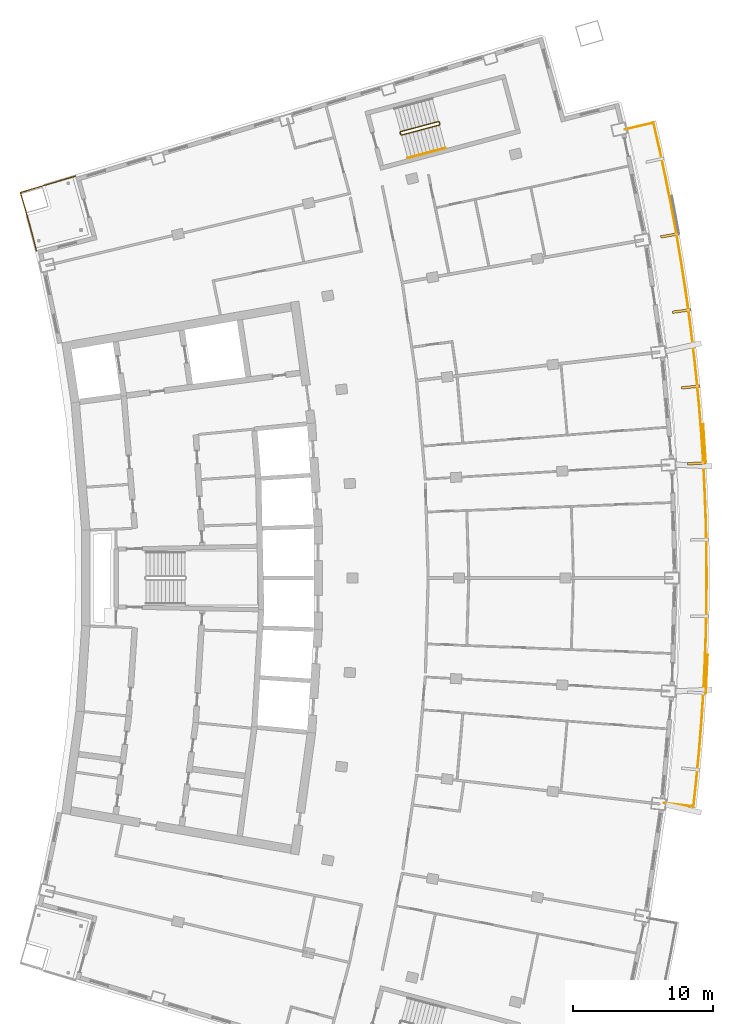
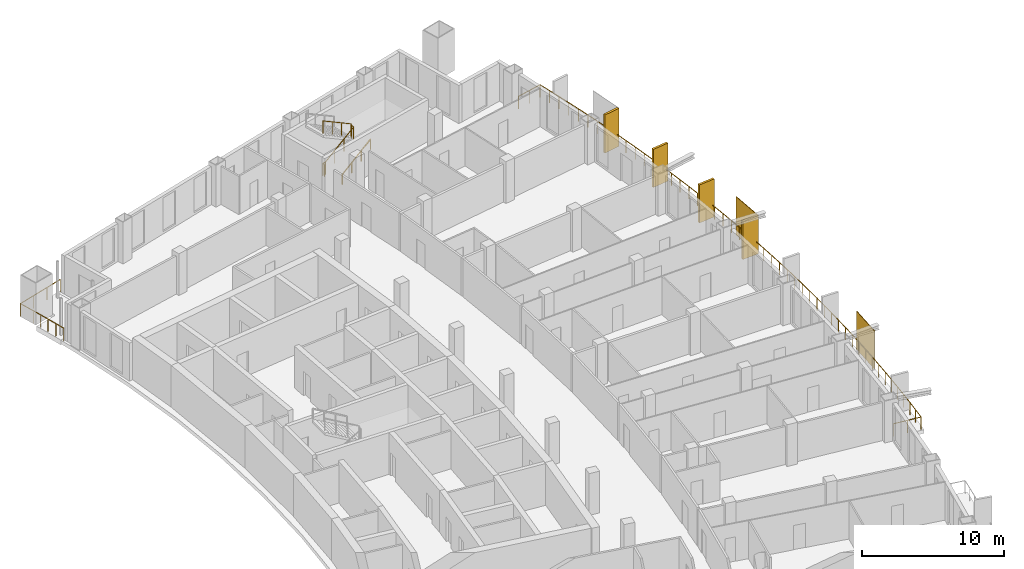
# One storey, part 18 of 19: 6 shading devices, 4 railings.
"""IFC4 building model written with IfcOpenShell, lengths in metres."""

from ifc_helpers import new_model, si_unit, direction, frame, origin, origin_2d, place, context, subcontext, project, spatial, rectangle, extrude, material, layer, layer_set, type_object, element, save


model = new_model("IFC4")

# Units and contexts
model_context = context("Model", 3, precision=1e-05, world=origin(), true_north=direction((0.0, 1.0)))
body_context = subcontext(model_context, "Body", "Model", "MODEL_VIEW")
ifc_project = project(units=[si_unit("LENGTHUNIT", "METRE"), si_unit("AREAUNIT", "SQUARE_METRE"), si_unit("VOLUMEUNIT", "CUBIC_METRE"), si_unit("PLANEANGLEUNIT", "RADIAN"), si_unit("MASSUNIT", "GRAM", prefix="KILO")], contexts=[model_context])

# Site, building, storey
site_placement = place(None, origin())
site = spatial("IfcSite", under=ifc_project, at=site_placement, CompositionType="ELEMENT")
building_placement = place(site_placement, origin())
building = spatial("IfcBuilding", under=site, at=building_placement, Name="Alderwake Tower", CompositionType="ELEMENT")
storey_placement = place(building_placement, frame((0.0, 0.0, 192.800048828125)))
storey = spatial("IfcBuildingStorey", under=building, at=storey_placement, Name="L47", CompositionType="ELEMENT", Elevation=192.800048828125)

# Railings
ifc_material_1 = material(Name="Stainless steel 316 rail and posts", Category="steel")
railing_type_1 = type_object("IfcRailingType", Name="Balcony guard 1100", PredefinedType="GUARDRAIL", material=ifc_material_1)
railing_1_placement = place(storey_placement, frame((58.06640625, 44.91796875, 0.0)))
element("IfcRailing", 1, at=railing_1_placement, inside=storey, type_object=railing_type_1, Name="Guard BF05", PredefinedType="GUARDRAIL", context=body_context, shape_type="SweptSolid", body=[
    extrude(rectangle(XDim=0.048095703125, YDim=0.048095703125, at=origin_2d()), frame((0.0, 0.0, 1.076171875), z_axis=(0.993287203457, -0.115674247125, 0.0), x_axis=(0.115674247125, 0.993287203457, 0.0)), (0.0, 0.0, 1.0), 2.10009765625),
    extrude(rectangle(XDim=0.048095703125, YDim=0.048095703125, at=origin_2d()), frame((2.0859375, -0.242919921875, 1.076171875), z_axis=(0.108871005933, 0.994055885787, 0.0), x_axis=(-0.994055885787, 0.108871005933, 0.0)), (0.0, 0.0, 1.0), 1.957763671875),
    extrude(rectangle(XDim=0.048095703125, YDim=0.048095703125, at=origin_2d()), frame((2.299072265625, 1.703125, 1.076171875), z_axis=(0.094685905036, 0.995507197055, 0.0), x_axis=(-0.995507197055, 0.094685905036, 0.0)), (0.0, 0.0, 1.0), 2.0576171875),
    extrude(rectangle(XDim=0.048095703125, YDim=0.048095703125, at=origin_2d()), frame((2.493896484375, 3.75146484375, 1.076171875), z_axis=(0.080080004355, 0.99678843939, 0.0), x_axis=(-0.99678843939, 0.080080004355, 0.0)), (0.0, 0.0, 1.0), 2.057861328125),
    extrude(rectangle(XDim=0.048095703125, YDim=0.048095703125, at=origin_2d()), frame((2.65869140625, 5.802734375, 1.076171875), z_axis=(0.065621128532, 0.997844610894, 0.0), x_axis=(-0.997844610894, 0.065621128532, 0.0)), (0.0, 0.0, 1.0), 2.057373046875),
    extrude(rectangle(XDim=0.048095703125, YDim=0.048095703125, at=origin_2d()), frame((2.793701171875, 7.855712890625, 1.076171875), z_axis=(0.051014504911, 0.998697912428, 0.0), x_axis=(-0.998697912428, 0.051014504911, 0.0)), (0.0, 0.0, 1.0), 2.057861328125),
    extrude(rectangle(XDim=0.048095703125, YDim=0.048095703125, at=origin_2d()), frame((2.898681640625, 9.910888671875, 1.076171875), z_axis=(0.036423636096, 0.99933643921, 0.0), x_axis=(-0.99933643921, 0.036423636096, 0.0)), (0.0, 0.0, 1.0), 2.057861328125),
    extrude(rectangle(XDim=0.048095703125, YDim=0.048095703125, at=origin_2d()), frame((2.9736328125, 11.96728515625, 1.076171875), z_axis=(0.021831965865, 0.999761654229, 0.0), x_axis=(-0.999761654229, 0.021831965865, 0.0)), (0.0, 0.0, 1.0), 2.0576171875),
    extrude(rectangle(XDim=0.048095703125, YDim=0.048095703125, at=origin_2d()), frame((3.0185546875, 14.0244140625, 1.076171875), z_axis=(0.007356231898, 0.99997294256, 0.0), x_axis=(-0.99997294256, 0.007356231898, 0.0)), (0.0, 0.0, 1.0), 2.0576171875),
    extrude(rectangle(XDim=0.048095703125, YDim=0.048095703125, at=origin_2d()), frame((3.03369140625, 16.08203125, 1.076171875), z_axis=(-0.007356231898, 0.99997294256, 0.0), x_axis=(-0.99997294256, -0.007356231898, 0.0)), (0.0, 0.0, 1.0), 2.0576171875),
    extrude(rectangle(XDim=0.048095703125, YDim=0.048095703125, at=origin_2d()), frame((3.0185546875, 18.1396484375, 1.076171875), z_axis=(-0.021831965865, 0.999761654229, 0.0), x_axis=(-0.999761654229, -0.021831965865, 0.0)), (0.0, 0.0, 1.0), 2.0576171875),
    extrude(rectangle(XDim=0.048095703125, YDim=0.048095703125, at=origin_2d()), frame((2.9736328125, 20.19677734375, 1.076171875), z_axis=(-0.036423636096, 0.99933643921, 0.0), x_axis=(-0.99933643921, -0.036423636096, 0.0)), (0.0, 0.0, 1.0), 2.057861328125),
    extrude(rectangle(XDim=0.048095703125, YDim=0.048095703125, at=origin_2d()), frame((2.898681640625, 22.253173828125, 1.076171875), z_axis=(-0.051014504911, 0.998697912428, 0.0), x_axis=(-0.998697912428, -0.051014504911, 0.0)), (0.0, 0.0, 1.0), 2.057861328125),
    extrude(rectangle(XDim=0.048095703125, YDim=0.048095703125, at=origin_2d()), frame((2.793701171875, 24.308349609375, 1.076171875), z_axis=(-0.065621128532, 0.997844610894, 0.0), x_axis=(-0.997844610894, -0.065621128532, 0.0)), (0.0, 0.0, 1.0), 2.057373046875),
    extrude(rectangle(XDim=0.048095703125, YDim=0.048095703125, at=origin_2d()), frame((2.65869140625, 26.361328125, 1.076171875), z_axis=(-0.080080004355, 0.99678843939, 0.0), x_axis=(-0.99678843939, -0.080080004355, 0.0)), (0.0, 0.0, 1.0), 2.057861328125),
    extrude(rectangle(XDim=0.048095703125, YDim=0.048095703125, at=origin_2d()), frame((2.493896484375, 28.41259765625, 1.076171875), z_axis=(-0.094685905036, 0.995507197055, 0.0), x_axis=(-0.995507197055, -0.094685905036, 0.0)), (0.0, 0.0, 1.0), 2.0576171875),
    extrude(rectangle(XDim=0.048095703125, YDim=0.048095703125, at=origin_2d()), frame((2.299072265625, 30.4609375, 1.076171875), z_axis=(-0.109155256142, 0.994024713001, 0.0), x_axis=(-0.994024713001, -0.109155256142, 0.0)), (0.0, 0.0, 1.0), 2.0576171875),
    extrude(rectangle(XDim=0.048095703125, YDim=0.048095703125, at=origin_2d()), frame((2.074462890625, 32.50634765625, 1.076171875), z_axis=(-0.123625862504, 0.992328900174, 0.0), x_axis=(-0.992328900174, -0.123625862504, 0.0)), (0.0, 0.0, 1.0), 2.057861328125),
    extrude(rectangle(XDim=0.048095703125, YDim=0.048095703125, at=origin_2d()), frame((1.820068359375, 34.54833984375, 1.076171875), z_axis=(-0.138114829641, 0.990416222521, 0.0), x_axis=(-0.990416222521, -0.138114829641, 0.0)), (0.0, 0.0, 1.0), 2.0576171875),
    extrude(rectangle(XDim=0.048095703125, YDim=0.048095703125, at=origin_2d()), frame((1.535888671875, 36.586181640625, 1.076171875), z_axis=(-0.152574252714, 0.988292010192, 0.0), x_axis=(-0.988292010192, -0.152574252714, 0.0)), (0.0, 0.0, 1.0), 2.057861328125),
    extrude(rectangle(XDim=0.048095703125, YDim=0.048095703125, at=origin_2d()), frame((1.221923828125, 38.619873046875, 1.076171875), z_axis=(-0.166938157328, 0.98596736844, 0.0), x_axis=(-0.98596736844, -0.166938157328, 0.0)), (0.0, 0.0, 1.0), 2.0576171875),
    extrude(rectangle(XDim=0.048095703125, YDim=0.048095703125, at=origin_2d()), frame((0.87841796875, 40.648681640625, 1.076171875), z_axis=(-0.181171488795, 0.983451519724, 0.0), x_axis=(-0.983451519724, -0.181171488795, 0.0)), (0.0, 0.0, 1.0), 2.0576171875),
    extrude(rectangle(XDim=0.048095703125, YDim=0.048095703125, at=origin_2d()), frame((0.505615234375, 42.67236328125, 1.076171875), z_axis=(-0.195659753975, 0.980671841481, 0.0), x_axis=(-0.980671841481, -0.195659753975, 0.0)), (0.0, 0.0, 1.0), 2.0576171875),
    extrude(rectangle(XDim=0.048095703125, YDim=0.048095703125, at=origin_2d()), frame((0.10302734375, 44.690185546875, 1.076171875), z_axis=(-0.209877477425, 0.977727694437, 0.0), x_axis=(-0.977727694437, -0.209877477425, 0.0)), (0.0, 0.0, 1.0), 2.057861328125),
    extrude(rectangle(XDim=0.048095703125, YDim=0.048095703125, at=origin_2d()), frame((-0.328857421875, 46.7021484375, 1.076171875), z_axis=(-0.223857490516, 0.974621887677, 0.0), x_axis=(-0.974621887677, -0.223857490516, 0.0)), (0.0, 0.0, 1.0), 1.95751953125),
    extrude(rectangle(XDim=0.048095703125, YDim=0.048095703125, at=origin_2d()), frame((-0.76708984375, 48.610107421875, 1.076171875), z_axis=(-0.973057638874, -0.230561990427, 0.0), x_axis=(0.230561990427, -0.973057638874, 0.0)), (0.0, 0.0, 1.0), 2.099853515625),
    extrude(rectangle(XDim=0.0419921875, YDim=0.0419921875, at=origin_2d()), frame((0.0, 0.0, 0.0), z_axis=(0.0, 0.0, 1.0), x_axis=(0.993287203457, -0.115674247125, 0.0)), (0.0, 0.0, 1.0), 1.052001953125),
    extrude(rectangle(XDim=0.0419921875, YDim=0.0419921875, at=origin_2d()), frame((1.04296875, -0.12158203125, 0.0), z_axis=(0.0, 0.0, 1.0), x_axis=(0.993287203457, -0.115674247125, 0.0)), (0.0, 0.0, 1.0), 1.052001953125),
    extrude(rectangle(XDim=0.0419921875, YDim=0.0419921875, at=origin_2d()), frame((2.0859375, -0.242919921875, 0.0), z_axis=(0.0, 0.0, 1.0), x_axis=(0.108871005933, 0.994055885787, 0.0)), (0.0, 0.0, 1.0), 1.052001953125),
    extrude(rectangle(XDim=0.0419921875, YDim=0.0419921875, at=origin_2d()), frame((2.1923828125, 0.72998046875, 0.0), z_axis=(0.0, 0.0, 1.0), x_axis=(0.108871005933, 0.994055885787, 0.0)), (0.0, 0.0, 1.0), 1.052001953125),
    extrude(rectangle(XDim=0.0419921875, YDim=0.0419921875, at=origin_2d()), frame((2.299072265625, 1.703125, 0.0), z_axis=(0.0, 0.0, 1.0), x_axis=(0.094685905036, 0.995507197055, 0.0)), (0.0, 0.0, 1.0), 1.052001953125),
    extrude(rectangle(XDim=0.0419921875, YDim=0.0419921875, at=origin_2d()), frame((2.396484375, 2.727294921875, 0.0), z_axis=(0.0, 0.0, 1.0), x_axis=(0.094685905036, 0.995507197055, 0.0)), (0.0, 0.0, 1.0), 1.052001953125),
    extrude(rectangle(XDim=0.0419921875, YDim=0.0419921875, at=origin_2d()), frame((2.493896484375, 3.75146484375, 0.0), z_axis=(0.0, 0.0, 1.0), x_axis=(0.080080004355, 0.99678843939, 0.0)), (0.0, 0.0, 1.0), 1.052001953125),
    extrude(rectangle(XDim=0.0419921875, YDim=0.0419921875, at=origin_2d()), frame((2.576171875, 4.777099609375, 0.0), z_axis=(0.0, 0.0, 1.0), x_axis=(0.080080004355, 0.99678843939, 0.0)), (0.0, 0.0, 1.0), 1.052001953125),
    extrude(rectangle(XDim=0.0419921875, YDim=0.0419921875, at=origin_2d()), frame((2.65869140625, 5.802734375, 0.0), z_axis=(0.0, 0.0, 1.0), x_axis=(0.065621128532, 0.997844610894, 0.0)), (0.0, 0.0, 1.0), 1.052001953125),
    extrude(rectangle(XDim=0.0419921875, YDim=0.0419921875, at=origin_2d()), frame((2.72607421875, 6.8291015625, 0.0), z_axis=(0.0, 0.0, 1.0), x_axis=(0.065621128532, 0.997844610894, 0.0)), (0.0, 0.0, 1.0), 1.052001953125),
    extrude(rectangle(XDim=0.0419921875, YDim=0.0419921875, at=origin_2d()), frame((2.793701171875, 7.855712890625, 0.0), z_axis=(0.0, 0.0, 1.0), x_axis=(0.051014504911, 0.998697912428, 0.0)), (0.0, 0.0, 1.0), 1.052001953125),
    extrude(rectangle(XDim=0.0419921875, YDim=0.0419921875, at=origin_2d()), frame((2.84619140625, 8.88330078125, 0.0), z_axis=(0.0, 0.0, 1.0), x_axis=(0.051014504911, 0.998697912428, 0.0)), (0.0, 0.0, 1.0), 1.052001953125),
    extrude(rectangle(XDim=0.0419921875, YDim=0.0419921875, at=origin_2d()), frame((2.898681640625, 9.910888671875, 0.0), z_axis=(0.0, 0.0, 1.0), x_axis=(0.036423636096, 0.99933643921, 0.0)), (0.0, 0.0, 1.0), 1.052001953125),
    extrude(rectangle(XDim=0.0419921875, YDim=0.0419921875, at=origin_2d()), frame((2.93603515625, 10.93896484375, 0.0), z_axis=(0.0, 0.0, 1.0), x_axis=(0.036423636096, 0.99933643921, 0.0)), (0.0, 0.0, 1.0), 1.052001953125),
    extrude(rectangle(XDim=0.0419921875, YDim=0.0419921875, at=origin_2d()), frame((2.9736328125, 11.96728515625, 0.0), z_axis=(0.0, 0.0, 1.0), x_axis=(0.021831965865, 0.999761654229, 0.0)), (0.0, 0.0, 1.0), 1.052001953125),
    extrude(rectangle(XDim=0.0419921875, YDim=0.0419921875, at=origin_2d()), frame((2.99609375, 12.995849609375, 0.0), z_axis=(0.0, 0.0, 1.0), x_axis=(0.021831965865, 0.999761654229, 0.0)), (0.0, 0.0, 1.0), 1.052001953125),
    extrude(rectangle(XDim=0.0419921875, YDim=0.0419921875, at=origin_2d()), frame((3.0185546875, 14.0244140625, 0.0), z_axis=(0.0, 0.0, 1.0), x_axis=(0.007356231898, 0.99997294256, 0.0)), (0.0, 0.0, 1.0), 1.052001953125),
    extrude(rectangle(XDim=0.0419921875, YDim=0.0419921875, at=origin_2d()), frame((3.026123046875, 15.05322265625, 0.0), z_axis=(0.0, 0.0, 1.0), x_axis=(0.007356231898, 0.99997294256, 0.0)), (0.0, 0.0, 1.0), 1.052001953125),
    extrude(rectangle(XDim=0.0419921875, YDim=0.0419921875, at=origin_2d()), frame((3.03369140625, 16.08203125, 0.0), z_axis=(0.0, 0.0, 1.0), x_axis=(-0.007356231898, 0.99997294256, 0.0)), (0.0, 0.0, 1.0), 1.052001953125),
    extrude(rectangle(XDim=0.0419921875, YDim=0.0419921875, at=origin_2d()), frame((3.026123046875, 17.11083984375, 0.0), z_axis=(0.0, 0.0, 1.0), x_axis=(-0.007356231898, 0.99997294256, 0.0)), (0.0, 0.0, 1.0), 1.052001953125),
    extrude(rectangle(XDim=0.0419921875, YDim=0.0419921875, at=origin_2d()), frame((3.0185546875, 18.1396484375, 0.0), z_axis=(0.0, 0.0, 1.0), x_axis=(-0.021831965865, 0.999761654229, 0.0)), (0.0, 0.0, 1.0), 1.052001953125),
    extrude(rectangle(XDim=0.0419921875, YDim=0.0419921875, at=origin_2d()), frame((2.99609375, 19.168212890625, 0.0), z_axis=(0.0, 0.0, 1.0), x_axis=(-0.021831965865, 0.999761654229, 0.0)), (0.0, 0.0, 1.0), 1.052001953125),
    extrude(rectangle(XDim=0.0419921875, YDim=0.0419921875, at=origin_2d()), frame((2.9736328125, 20.19677734375, 0.0), z_axis=(0.0, 0.0, 1.0), x_axis=(-0.036423636096, 0.99933643921, 0.0)), (0.0, 0.0, 1.0), 1.052001953125),
    extrude(rectangle(XDim=0.0419921875, YDim=0.0419921875, at=origin_2d()), frame((2.93603515625, 21.22509765625, 0.0), z_axis=(0.0, 0.0, 1.0), x_axis=(-0.036423636096, 0.99933643921, 0.0)), (0.0, 0.0, 1.0), 1.052001953125),
    extrude(rectangle(XDim=0.0419921875, YDim=0.0419921875, at=origin_2d()), frame((2.898681640625, 22.253173828125, 0.0), z_axis=(0.0, 0.0, 1.0), x_axis=(-0.051014504911, 0.998697912428, 0.0)), (0.0, 0.0, 1.0), 1.052001953125),
    extrude(rectangle(XDim=0.0419921875, YDim=0.0419921875, at=origin_2d()), frame((2.84619140625, 23.28076171875, 0.0), z_axis=(0.0, 0.0, 1.0), x_axis=(-0.051014504911, 0.998697912428, 0.0)), (0.0, 0.0, 1.0), 1.052001953125),
    extrude(rectangle(XDim=0.0419921875, YDim=0.0419921875, at=origin_2d()), frame((2.793701171875, 24.308349609375, 0.0), z_axis=(0.0, 0.0, 1.0), x_axis=(-0.065621128532, 0.997844610894, 0.0)), (0.0, 0.0, 1.0), 1.052001953125),
    extrude(rectangle(XDim=0.0419921875, YDim=0.0419921875, at=origin_2d()), frame((2.72607421875, 25.3349609375, 0.0), z_axis=(0.0, 0.0, 1.0), x_axis=(-0.065621128532, 0.997844610894, 0.0)), (0.0, 0.0, 1.0), 1.052001953125),
    extrude(rectangle(XDim=0.0419921875, YDim=0.0419921875, at=origin_2d()), frame((2.65869140625, 26.361328125, 0.0), z_axis=(0.0, 0.0, 1.0), x_axis=(-0.080080004355, 0.99678843939, 0.0)), (0.0, 0.0, 1.0), 1.052001953125),
    extrude(rectangle(XDim=0.0419921875, YDim=0.0419921875, at=origin_2d()), frame((2.576171875, 27.386962890625, 0.0), z_axis=(0.0, 0.0, 1.0), x_axis=(-0.080080004355, 0.99678843939, 0.0)), (0.0, 0.0, 1.0), 1.052001953125),
    extrude(rectangle(XDim=0.0419921875, YDim=0.0419921875, at=origin_2d()), frame((2.493896484375, 28.41259765625, 0.0), z_axis=(0.0, 0.0, 1.0), x_axis=(-0.094685905036, 0.995507197055, 0.0)), (0.0, 0.0, 1.0), 1.052001953125),
    extrude(rectangle(XDim=0.0419921875, YDim=0.0419921875, at=origin_2d()), frame((2.396484375, 29.436767578125, 0.0), z_axis=(0.0, 0.0, 1.0), x_axis=(-0.094685905036, 0.995507197055, 0.0)), (0.0, 0.0, 1.0), 1.052001953125),
    extrude(rectangle(XDim=0.0419921875, YDim=0.0419921875, at=origin_2d()), frame((2.299072265625, 30.4609375, 0.0), z_axis=(0.0, 0.0, 1.0), x_axis=(-0.109155256142, 0.994024713001, 0.0)), (0.0, 0.0, 1.0), 1.052001953125),
    extrude(rectangle(XDim=0.0419921875, YDim=0.0419921875, at=origin_2d()), frame((2.186767578125, 31.483642578125, 0.0), z_axis=(0.0, 0.0, 1.0), x_axis=(-0.109155256142, 0.994024713001, 0.0)), (0.0, 0.0, 1.0), 1.052001953125),
    extrude(rectangle(XDim=0.0419921875, YDim=0.0419921875, at=origin_2d()), frame((2.074462890625, 32.50634765625, 0.0), z_axis=(0.0, 0.0, 1.0), x_axis=(-0.123625862504, 0.992328900174, 0.0)), (0.0, 0.0, 1.0), 1.052001953125),
    extrude(rectangle(XDim=0.0419921875, YDim=0.0419921875, at=origin_2d()), frame((1.947265625, 33.52734375, 0.0), z_axis=(0.0, 0.0, 1.0), x_axis=(-0.123625862504, 0.992328900174, 0.0)), (0.0, 0.0, 1.0), 1.052001953125),
    extrude(rectangle(XDim=0.0419921875, YDim=0.0419921875, at=origin_2d()), frame((1.820068359375, 34.54833984375, 0.0), z_axis=(0.0, 0.0, 1.0), x_axis=(-0.138114829641, 0.990416222521, 0.0)), (0.0, 0.0, 1.0), 1.052001953125),
    extrude(rectangle(XDim=0.0419921875, YDim=0.0419921875, at=origin_2d()), frame((1.677978515625, 35.5673828125, 0.0), z_axis=(0.0, 0.0, 1.0), x_axis=(-0.138114829641, 0.990416222521, 0.0)), (0.0, 0.0, 1.0), 1.052001953125),
    extrude(rectangle(XDim=0.0419921875, YDim=0.0419921875, at=origin_2d()), frame((1.535888671875, 36.586181640625, 0.0), z_axis=(0.0, 0.0, 1.0), x_axis=(-0.152574252714, 0.988292010192, 0.0)), (0.0, 0.0, 1.0), 1.052001953125),
    extrude(rectangle(XDim=0.0419921875, YDim=0.0419921875, at=origin_2d()), frame((1.37890625, 37.60302734375, 0.0), z_axis=(0.0, 0.0, 1.0), x_axis=(-0.152574252714, 0.988292010192, 0.0)), (0.0, 0.0, 1.0), 1.052001953125),
    extrude(rectangle(XDim=0.0419921875, YDim=0.0419921875, at=origin_2d()), frame((1.221923828125, 38.619873046875, 0.0), z_axis=(0.0, 0.0, 1.0), x_axis=(-0.166938157328, 0.98596736844, 0.0)), (0.0, 0.0, 1.0), 1.052001953125),
    extrude(rectangle(XDim=0.0419921875, YDim=0.0419921875, at=origin_2d()), frame((1.05029296875, 39.63427734375, 0.0), z_axis=(0.0, 0.0, 1.0), x_axis=(-0.166938157328, 0.98596736844, 0.0)), (0.0, 0.0, 1.0), 1.052001953125),
    extrude(rectangle(XDim=0.0419921875, YDim=0.0419921875, at=origin_2d()), frame((0.87841796875, 40.648681640625, 0.0), z_axis=(0.0, 0.0, 1.0), x_axis=(-0.181171488795, 0.983451519724, 0.0)), (0.0, 0.0, 1.0), 1.052001953125),
    extrude(rectangle(XDim=0.0419921875, YDim=0.0419921875, at=origin_2d()), frame((0.69189453125, 41.66064453125, 0.0), z_axis=(0.0, 0.0, 1.0), x_axis=(-0.181171488795, 0.983451519724, 0.0)), (0.0, 0.0, 1.0), 1.052001953125),
    extrude(rectangle(XDim=0.0419921875, YDim=0.0419921875, at=origin_2d()), frame((0.505615234375, 42.67236328125, 0.0), z_axis=(0.0, 0.0, 1.0), x_axis=(-0.195659753975, 0.980671841481, 0.0)), (0.0, 0.0, 1.0), 1.052001953125),
    extrude(rectangle(XDim=0.0419921875, YDim=0.0419921875, at=origin_2d()), frame((0.30419921875, 43.68115234375, 0.0), z_axis=(0.0, 0.0, 1.0), x_axis=(-0.195659753975, 0.980671841481, 0.0)), (0.0, 0.0, 1.0), 1.052001953125),
    extrude(rectangle(XDim=0.0419921875, YDim=0.0419921875, at=origin_2d()), frame((0.10302734375, 44.690185546875, 0.0), z_axis=(0.0, 0.0, 1.0), x_axis=(-0.209877477425, 0.977727694437, 0.0)), (0.0, 0.0, 1.0), 1.052001953125),
    extrude(rectangle(XDim=0.0419921875, YDim=0.0419921875, at=origin_2d()), frame((-0.11279296875, 45.6962890625, 0.0), z_axis=(0.0, 0.0, 1.0), x_axis=(-0.209877477425, 0.977727694437, 0.0)), (0.0, 0.0, 1.0), 1.052001953125),
    extrude(rectangle(XDim=0.0419921875, YDim=0.0419921875, at=origin_2d()), frame((-0.328857421875, 46.7021484375, 0.0), z_axis=(0.0, 0.0, 1.0), x_axis=(-0.223857490516, 0.974621887677, 0.0)), (0.0, 0.0, 1.0), 1.052001953125),
    extrude(rectangle(XDim=0.0419921875, YDim=0.0419921875, at=origin_2d()), frame((-0.5478515625, 47.65625, 0.0), z_axis=(0.0, 0.0, 1.0), x_axis=(-0.223857490516, 0.974621887677, 0.0)), (0.0, 0.0, 1.0), 1.052001953125),
    extrude(rectangle(XDim=0.0419921875, YDim=0.0419921875, at=origin_2d()), frame((-0.76708984375, 48.610107421875, 0.0), z_axis=(0.0, 0.0, 1.0), x_axis=(-0.973057638874, -0.230561990427, 0.0)), (0.0, 0.0, 1.0), 1.052001953125),
    extrude(rectangle(XDim=0.0419921875, YDim=0.0419921875, at=origin_2d()), frame((-1.78857421875, 48.3681640625, 0.0), z_axis=(0.0, 0.0, 1.0), x_axis=(-0.973057638874, -0.230561990427, 0.0)), (0.0, 0.0, 1.0), 1.052001953125),
    extrude(rectangle(XDim=0.0419921875, YDim=0.0419921875, at=origin_2d()), frame((-2.810302734375, 48.1259765625, 0.0), z_axis=(0.0, 0.0, 1.0), x_axis=(-0.973057638874, -0.230561990427, 0.0)), (0.0, 0.0, 1.0), 1.052001953125),
])
railing_2_placement = place(storey_placement, frame((13.210693359375, 84.387451171875, 0.0)))
element("IfcRailing", 2, at=railing_2_placement, inside=storey, type_object=railing_type_1, Name="Guard terrace RN", PredefinedType="GUARDRAIL", context=body_context, shape_type="SweptSolid", body=[
    extrude(rectangle(XDim=0.048095703125, YDim=0.048095703125, at=origin_2d()), frame((0.0, 0.0, 1.076171875), z_axis=(-0.251385381433, 0.967887075026, 0.0), x_axis=(-0.967887075026, -0.251385381433, 0.0)), (0.0, 0.0, 1.0), 1.6015625),
    extrude(rectangle(XDim=0.048095703125, YDim=0.048095703125, at=origin_2d()), frame((-0.402587890625, 1.550048828125, 1.076171875), z_axis=(-0.266520638672, 0.963829211615, 0.0), x_axis=(-0.963829211615, -0.266520638672, 0.0)), (0.0, 0.0, 1.0), 1.401611328125),
    extrude(rectangle(XDim=0.048095703125, YDim=0.048095703125, at=origin_2d()), frame((-0.776123046875, 2.90087890625, 1.076171875), z_axis=(-0.280093650878, 0.959972680204, 0.0), x_axis=(-0.959972680204, -0.280093650878, 0.0)), (0.0, 0.0, 1.0), 1.30126953125),
    extrude(rectangle(XDim=0.048095703125, YDim=0.048095703125, at=origin_2d()), frame((-1.140625, 4.150146484375, 1.076171875), z_axis=(0.958066871889, 0.286544706789, 0.0), x_axis=(-0.286544706789, 0.958066871889, 0.0)), (0.0, 0.0, 1.0), 4.099853515625),
    extrude(rectangle(XDim=0.0419921875, YDim=0.0419921875, at=origin_2d()), frame((0.0, 0.0, 0.0), z_axis=(0.0, 0.0, 1.0), x_axis=(-0.251385381433, 0.967887075026, 0.0)), (0.0, 0.0, 1.0), 1.052001953125),
    extrude(rectangle(XDim=0.0419921875, YDim=0.0419921875, at=origin_2d()), frame((-0.201171875, 0.77490234375, 0.0), z_axis=(0.0, 0.0, 1.0), x_axis=(-0.251385381433, 0.967887075026, 0.0)), (0.0, 0.0, 1.0), 1.052001953125),
    extrude(rectangle(XDim=0.0419921875, YDim=0.0419921875, at=origin_2d()), frame((-0.402587890625, 1.550048828125, 0.0), z_axis=(0.0, 0.0, 1.0), x_axis=(-0.266520638672, 0.963829211615, 0.0)), (0.0, 0.0, 1.0), 1.052001953125),
    extrude(rectangle(XDim=0.0419921875, YDim=0.0419921875, at=origin_2d()), frame((-0.58935546875, 2.2255859375, 0.0), z_axis=(0.0, 0.0, 1.0), x_axis=(-0.266520638672, 0.963829211615, 0.0)), (0.0, 0.0, 1.0), 1.052001953125),
    extrude(rectangle(XDim=0.0419921875, YDim=0.0419921875, at=origin_2d()), frame((-0.776123046875, 2.90087890625, 0.0), z_axis=(0.0, 0.0, 1.0), x_axis=(-0.280093650878, 0.959972680204, 0.0)), (0.0, 0.0, 1.0), 1.052001953125),
    extrude(rectangle(XDim=0.0419921875, YDim=0.0419921875, at=origin_2d()), frame((-1.140625, 4.150146484375, 0.0), z_axis=(0.0, 0.0, 1.0), x_axis=(0.958066871889, 0.286544706789, 0.0)), (0.0, 0.0, 1.0), 1.052001953125),
    extrude(rectangle(XDim=0.0419921875, YDim=0.0419921875, at=origin_2d()), frame((0.168701171875, 4.541748046875, 0.0), z_axis=(0.0, 0.0, 1.0), x_axis=(0.958066871889, 0.286544706789, 0.0)), (0.0, 0.0, 1.0), 1.052001953125),
    extrude(rectangle(XDim=0.0419921875, YDim=0.0419921875, at=origin_2d()), frame((1.47802734375, 4.933349609375, 0.0), z_axis=(0.0, 0.0, 1.0), x_axis=(0.958066871889, 0.286544706789, 0.0)), (0.0, 0.0, 1.0), 1.052001953125),
    extrude(rectangle(XDim=0.0419921875, YDim=0.0419921875, at=origin_2d()), frame((2.787353515625, 5.324951171875, 0.0), z_axis=(0.0, 0.0, 1.0), x_axis=(0.958066871889, 0.286544706789, 0.0)), (0.0, 0.0, 1.0), 1.052001953125),
])

# Shading devices
ifc_material_2 = material(Name="Bronze anodised aluminium", Category="aluminium")
ifc_layer_1 = layer(ifc_material_2, 0.179931640625)
ifc_layer_set_1 = layer_set([ifc_layer_1], Name="Facade fin 1300")
shading_device_type_1 = type_object("IfcShadingDeviceType", Name="Facade fin 1300", PredefinedType="USERDEFINED", material=ifc_layer_set_1)
for number, where, z_axis, x_axis, name in (
    (3, (60.361083984375, 69.1923828125, 0.0), (0.0, 0.0, 1.0), (0.998301080988, 0.058266214038, 0.0), "Fin"),
    (4, (59.936279296875, 74.644775390625, 0.0), (0.0, 0.0, 1.0), (0.995279882363, 0.097046152751, 0.0), "Fin"),
    (5, (59.2998046875, 80.07666015625, 0.0), (0.0, 0.0, 1.0), (0.990752577235, 0.135680988728, 0.0), "Fin"),
    (6, (58.45263671875, 85.4794921875, 0.0), (0.0, 0.0, 1.0), (0.984726421654, 0.174108800747, 0.0), "Fin"),
):
    element("IfcShadingDevice", number, at=place(storey_placement, frame(where, z_axis=z_axis, x_axis=x_axis)), inside=storey, type_object=shading_device_type_1, Name=name, ObjectType="FIN", PredefinedType="USERDEFINED", context=body_context, shape_type="SweptSolid", body=[
        extrude(rectangle(XDim=1.300048828125, YDim=0.179931640625, at=origin_2d()), origin(), (0.0, 0.0, 1.0), 3.280029296875),
    ])
ifc_material_3 = material(Name="Perforated bronze anodised aluminium", Category="aluminium")
ifc_layer_2 = layer(ifc_material_3, 0.050048828125)
ifc_layer_set_2 = layer_set([ifc_layer_2], Name="Perforated screen panel")
shading_device_type_2 = type_object("IfcShadingDeviceType", Name="Perforated screen panel", PredefinedType="USERDEFINED", material=ifc_layer_set_2)
shading_device_1_placement = place(storey_placement, frame((61.1015625, 54.13720703125, 0.0), z_axis=(0.0, 0.0, 1.0), x_axis=(0.998819231138, -0.048581308217, 0.0)))
element("IfcShadingDevice", 7, at=shading_device_1_placement, inside=storey, type_object=shading_device_type_2, Name="Screen panel", ObjectType="SCREEN", PredefinedType="USERDEFINED", context=body_context, shape_type="SweptSolid", body=[
    extrude(rectangle(XDim=0.050048828125, YDim=2.74072265625, at=origin_2d()), origin(), (0.0, 0.0, 1.0), 3.280029296875),
])
shading_device_2_placement = place(storey_placement, frame((60.94140625, 70.60595703125, 0.0), z_axis=(0.0, 0.0, 1.0), x_axis=(0.997685465774, 0.067997877779, 0.0)))
element("IfcShadingDevice", 8, at=shading_device_2_placement, inside=storey, type_object=shading_device_type_2, Name="Screen panel", ObjectType="SCREEN", PredefinedType="USERDEFINED", context=body_context, shape_type="SweptSolid", body=[
    extrude(rectangle(XDim=0.050048828125, YDim=2.7548828125, at=origin_2d()), origin(), (0.0, 0.0, 1.0), 3.280029296875),
])

# Railings
ifc_material_4 = material(Name="Stainless steel guard", Category="steel")
railing_type_2 = type_object("IfcRailingType", Name="Stair guard 1100", PredefinedType="GUARDRAIL", material=ifc_material_4)
railing_3_placement = place(storey_placement, frame((39.23291015625, 92.6806640625, 0.0)))
element("IfcRailing", 9, at=railing_3_placement, inside=storey, type_object=railing_type_2, Name="L47 ST-A stair guard 1", PredefinedType="GUARDRAIL", context=body_context, shape_type="SweptSolid", body=[
    extrude(rectangle(XDim=0.048095703125, YDim=0.048095703125, at=origin_2d()), frame((0.0, 0.0, 1.076171875), z_axis=(-0.257055032184, 0.966396766566, 0.0), x_axis=(-0.966396766566, -0.257055032184, 0.0)), (0.0, 0.0, 1.0), 0.150146484375),
    extrude(rectangle(XDim=0.048095703125, YDim=0.048095703125, at=origin_2d()), frame((-0.03857421875, 0.14501953125, 1.076171875), z_axis=(0.379370725808, -0.685464465458, 0.621463047167), x_axis=(0.874937996095, 0.484234966715, 0.0)), (0.0, 0.0, 1.0), 0.26318359375),
    extrude(rectangle(XDim=0.048095703125, YDim=0.048095703125, at=origin_2d()), frame((0.061279296875, -0.035400390625, 1.23974609375), z_axis=(0.834258940753, 0.22222815314, 0.504605457487), x_axis=(-0.257402139082, 0.966304371715, 0.0)), (0.0, 0.0, 1.0), 3.2431640625),
    extrude(rectangle(XDim=0.048095703125, YDim=0.048095703125, at=origin_2d()), frame((2.766845703125, 0.685302734375, 2.8759765625), z_axis=(0.500220121494, 0.865898279276, 0.0), x_axis=(-0.865898279276, 0.500220121494, 0.0)), (0.0, 0.0, 1.0), 0.07080078125),
    extrude(rectangle(XDim=0.048095703125, YDim=0.048095703125, at=origin_2d()), frame((2.80224609375, 0.74658203125, 2.8759765625), z_axis=(-0.257459803502, 0.966289009345, 0.0), x_axis=(-0.966289009345, -0.257459803502, 0.0)), (0.0, 0.0, 1.0), 0.14990234375),
    extrude(rectangle(XDim=0.048095703125, YDim=0.048095703125, at=origin_2d()), frame((2.763671875, 0.891357421875, 2.8759765625), z_axis=(-0.34252489212, 0.200034536998, 0.917966710881), x_axis=(-0.504300490226, -0.863528236688, 0.0)), (0.0, 0.0, 1.0), 0.17822265625),
    extrude(rectangle(XDim=0.048095703125, YDim=0.048095703125, at=origin_2d()), frame((2.70263671875, 0.927001953125, 3.03955078125), z_axis=(-0.834313512087, -0.222222637163, 0.504517653885), x_axis=(0.257380452725, -0.966310148221, 0.0)), (0.0, 0.0, 1.0), 3.2431640625),
    extrude(rectangle(XDim=0.0419921875, YDim=0.0419921875, at=origin_2d()), frame((0.0, 0.0, 0.0), z_axis=(0.0, 0.0, 1.0), x_axis=(-0.257055032184, 0.966396766566, 0.0)), (0.0, 0.0, 1.0), 1.052001953125),
    extrude(rectangle(XDim=0.0419921875, YDim=0.0419921875, at=origin_2d()), frame((-0.03857421875, 0.14501953125, 0.0), z_axis=(0.0, 0.0, 1.0), x_axis=(0.484234966715, -0.874937996095, 0.0)), (0.0, 0.0, 1.0), 1.052001953125),
    extrude(rectangle(XDim=0.0419921875, YDim=0.0419921875, at=origin_2d()), frame((0.061279296875, -0.035400390625, 0.16357421875), z_axis=(0.0, 0.0, 1.0), x_axis=(0.966304371715, 0.257402139082, 0.0)), (0.0, 0.0, 1.0), 1.052001953125),
    extrude(rectangle(XDim=0.0419921875, YDim=0.0419921875, at=origin_2d()), frame((0.963134765625, 0.204833984375, 0.708984375), z_axis=(0.0, 0.0, 1.0), x_axis=(0.966304371715, 0.257402139082, 0.0)), (0.0, 0.0, 1.0), 1.052001953125),
    extrude(rectangle(XDim=0.0419921875, YDim=0.0419921875, at=origin_2d()), frame((1.864990234375, 0.445068359375, 1.254638671875), z_axis=(0.0, 0.0, 1.0), x_axis=(0.966304371715, 0.257402139082, 0.0)), (0.0, 0.0, 1.0), 1.052001953125),
    extrude(rectangle(XDim=0.0419921875, YDim=0.0419921875, at=origin_2d()), frame((2.766845703125, 0.685302734375, 1.800048828125), z_axis=(0.0, 0.0, 1.0), x_axis=(0.500220121494, 0.865898279276, 0.0)), (0.0, 0.0, 1.0), 1.052001953125),
    extrude(rectangle(XDim=0.0419921875, YDim=0.0419921875, at=origin_2d()), frame((2.80224609375, 0.74658203125, 1.800048828125), z_axis=(0.0, 0.0, 1.0), x_axis=(-0.257459803502, 0.966289009345, 0.0)), (0.0, 0.0, 1.0), 1.052001953125),
    extrude(rectangle(XDim=0.0419921875, YDim=0.0419921875, at=origin_2d()), frame((2.763671875, 0.891357421875, 1.800048828125), z_axis=(0.0, 0.0, 1.0), x_axis=(-0.863528236688, 0.504300490226, 0.0)), (0.0, 0.0, 1.0), 1.052001953125),
    extrude(rectangle(XDim=0.0419921875, YDim=0.0419921875, at=origin_2d()), frame((2.70263671875, 0.927001953125, 1.963623046875), z_axis=(0.0, 0.0, 1.0), x_axis=(-0.966310148221, -0.257380452725, 0.0)), (0.0, 0.0, 1.0), 1.052001953125),
    extrude(rectangle(XDim=0.0419921875, YDim=0.0419921875, at=origin_2d()), frame((1.80078125, 0.686767578125, 2.509033203125), z_axis=(0.0, 0.0, 1.0), x_axis=(-0.966310148221, -0.257380452725, 0.0)), (0.0, 0.0, 1.0), 1.052001953125),
    extrude(rectangle(XDim=0.0419921875, YDim=0.0419921875, at=origin_2d()), frame((0.898681640625, 0.446533203125, 3.054443359375), z_axis=(0.0, 0.0, 1.0), x_axis=(-0.966310148221, -0.257380452725, 0.0)), (0.0, 0.0, 1.0), 1.052001953125),
    extrude(rectangle(XDim=0.0419921875, YDim=0.0419921875, at=origin_2d()), frame((-0.003173828125, 0.206298828125, 3.599853515625), z_axis=(0.0, 0.0, 1.0), x_axis=(-0.966310148221, -0.257380452725, 0.0)), (0.0, 0.0, 1.0), 1.052001953125),
])
ifc_material_5 = material(Name="Stainless steel handrail", Category="steel")
railing_type_3 = type_object("IfcRailingType", Name="Stair handrail 900", PredefinedType="HANDRAIL", material=ifc_material_5)
railing_4_placement = place(storey_placement, frame((39.731689453125, 91.002685546875, 0.16357421875)))
element("IfcRailing", 10, at=railing_4_placement, inside=storey, type_object=railing_type_3, Name="L47 ST-A stair handrail 1", PredefinedType="HANDRAIL", context=body_context, shape_type="SweptSolid", body=[
    extrude(rectangle(XDim=0.048095703125, YDim=0.048095703125, at=origin_2d()), frame((0.0, 0.0, 0.8759765625), z_axis=(0.834258940753, 0.22222815314, 0.504605457487), x_axis=(-0.257402139082, 0.966304371715, 0.0)), (0.0, 0.0, 1.0), 3.2431640625),
    extrude(rectangle(XDim=0.0419921875, YDim=0.0419921875, at=origin_2d()), frame((0.0, 0.0, 0.0), z_axis=(0.0, 0.0, 1.0), x_axis=(0.966304371715, 0.257402139082, 0.0)), (0.0, 0.0, 1.0), 0.851806640625),
    extrude(rectangle(XDim=0.0419921875, YDim=0.0419921875, at=origin_2d()), frame((0.90185546875, 0.240234375, 0.54541015625), z_axis=(0.0, 0.0, 1.0), x_axis=(0.966304371715, 0.257402139082, 0.0)), (0.0, 0.0, 1.0), 0.851806640625),
    extrude(rectangle(XDim=0.0419921875, YDim=0.0419921875, at=origin_2d()), frame((1.8037109375, 0.48046875, 1.091064453125), z_axis=(0.0, 0.0, 1.0), x_axis=(0.966304371715, 0.257402139082, 0.0)), (0.0, 0.0, 1.0), 0.851806640625),
    extrude(rectangle(XDim=0.0419921875, YDim=0.0419921875, at=origin_2d()), frame((2.70556640625, 0.720703125, 1.636474609375), z_axis=(0.0, 0.0, 1.0), x_axis=(0.966304371715, 0.257402139082, 0.0)), (0.0, 0.0, 1.0), 0.851806640625),
])

save(model, "model.ifc")
